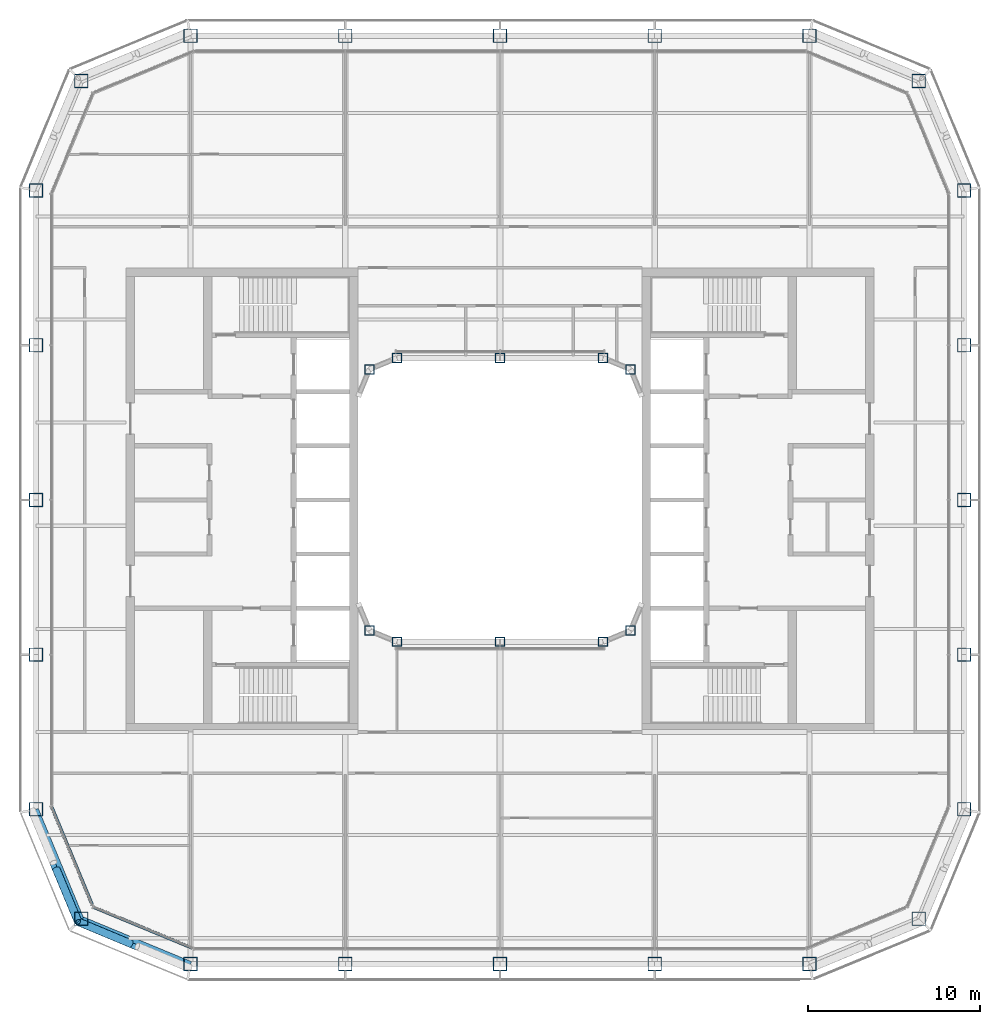
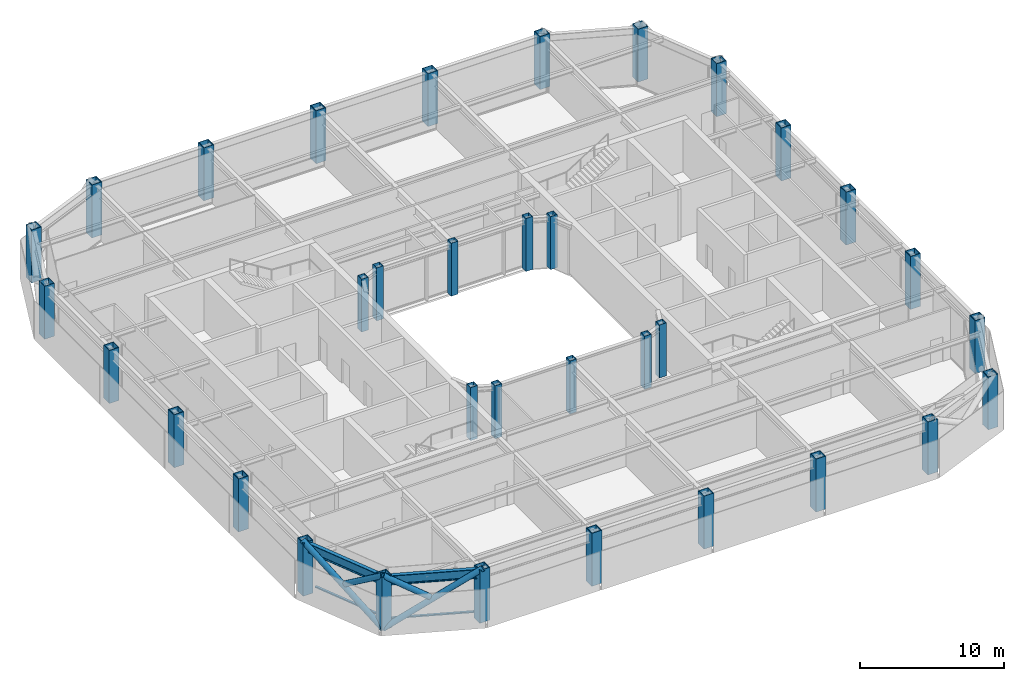
# One storey, part 1 of 19: 34 columns, 6 members, 2 beams, 2 elements without a shape of their own.
"""IFC4 building model written with IfcOpenShell, lengths in metres."""

from ifc_helpers import new_model, si_unit, direction, frame, origin, origin_2d, place, context, subcontext, project, spatial, rectangle, hollow_rectangle, hollow_circle, i_section, extrude, material, layer, layer_set, material_profile, profile_set, type_object, element, aggregate, save


model = new_model("IFC4")

# Units and contexts
model_context = context("Model", 3, precision=1e-05, world=origin(), true_north=direction((0.0, 1.0)))
body_context = subcontext(model_context, "Body", "Model", "MODEL_VIEW")
ifc_project = project(units=[si_unit("LENGTHUNIT", "METRE"), si_unit("AREAUNIT", "SQUARE_METRE"), si_unit("VOLUMEUNIT", "CUBIC_METRE"), si_unit("PLANEANGLEUNIT", "RADIAN"), si_unit("MASSUNIT", "GRAM", prefix="KILO")], contexts=[model_context])

# Site, building, storey
site_placement = place(None, origin())
site = spatial("IfcSite", under=ifc_project, at=site_placement, CompositionType="ELEMENT")
building_placement = place(site_placement, origin())
building = spatial("IfcBuilding", under=site, at=building_placement, Name="Siwar Civic Tower", CompositionType="ELEMENT")
storey_placement = place(building_placement, frame((0.0, 0.0, 246.699951171875)))
storey = spatial("IfcBuildingStorey", under=building, at=storey_placement, Name="L53", CompositionType="ELEMENT", Elevation=246.699951171875)

# Columns
ifc_material_1 = material(Name="Steel S355", Category="steel")
ifc_material_profile_1 = material_profile(ifc_material_1, hollow_rectangle(XDim=0.800048828125, YDim=0.800048828125, WallThickness=0.044921875, at=origin_2d()), Name="BOX800x800x45")
ifc_profile_set_1 = profile_set([ifc_material_profile_1], Name="Steel S355")
column_type_1 = type_object("IfcColumnType", Name="STR-COL-BOX800x800x45", PredefinedType="COLUMN", material=ifc_profile_set_1)
for number, where, z_axis, x_axis, name in (
    (1, (-18.0, -27.0, 0.0), (0.0, 0.0, 1.0), (1.0, 0.0, 0.0), "L53/col/S-0"),
    (2, (-9.0, -27.0, 0.0), (0.0, 0.0, 1.0), (1.0, 0.0, 0.0), "L53/col/S-1"),
    (3, (0.0, -27.0, 0.0), (0.0, 0.0, 1.0), (1.0, 0.0, 0.0), "L53/col/S-2"),
    (4, (9.0, -27.0, 0.0), (0.0, 0.0, 1.0), (1.0, 0.0, 0.0), "L53/col/S-3"),
    (5, (18.0, -27.0, 0.0), (0.0, 0.0, 1.0), (1.0, 0.0, 0.0), "L53/col/SE1-0"),
    (6, (24.364013671875, -24.364013671875, 0.0), (0.0, 0.0, 1.0), (1.0, 0.0, 0.0), "L53/col/SE2-0"),
    (7, (27.0, -18.0, 0.0), (0.0, 0.0, 1.0), (1.0, 0.0, 0.0), "L53/col/E-0"),
    (8, (27.0, -9.0, 0.0), (0.0, 0.0, 1.0), (1.0, 0.0, 0.0), "L53/col/E-1"),
    (9, (27.0, 0.0, 0.0), (0.0, 0.0, 1.0), (1.0, 0.0, 0.0), "L53/col/E-2"),
    (10, (27.0, 9.0, 0.0), (0.0, 0.0, 1.0), (1.0, 0.0, 0.0), "L53/col/E-3"),
    (11, (27.0, 18.0, 0.0), (0.0, 0.0, 1.0), (1.0, 0.0, 0.0), "L53/col/NE1-0"),
    (12, (24.364013671875, 24.364013671875, 0.0), (0.0, 0.0, 1.0), (1.0, 0.0, 0.0), "L53/col/NE2-0"),
    (13, (18.0, 27.0, 0.0), (0.0, 0.0, 1.0), (1.0, 0.0, 0.0), "L53/col/N-0"),
    (14, (9.0, 27.0, 0.0), (0.0, 0.0, 1.0), (1.0, 0.0, 0.0), "L53/col/N-1"),
    (15, (0.0, 27.0, 0.0), (0.0, 0.0, 1.0), (1.0, 0.0, 0.0), "L53/col/N-2"),
    (16, (-9.0, 27.0, 0.0), (0.0, 0.0, 1.0), (1.0, 0.0, 0.0), "L53/col/N-3"),
    (17, (-18.0, 27.0, 0.0), (0.0, 0.0, 1.0), (1.0, 0.0, 0.0), "L53/col/NW1-0"),
    (18, (-24.364013671875, 24.364013671875, 0.0), (0.0, 0.0, 1.0), (1.0, 0.0, 0.0), "L53/col/NW2-0"),
    (19, (-27.0, 18.0, 0.0), (0.0, 0.0, 1.0), (1.0, 0.0, 0.0), "L53/col/W-0"),
    (20, (-27.0, 9.0, 0.0), (0.0, 0.0, 1.0), (1.0, 0.0, 0.0), "L53/col/W-1"),
    (21, (-27.0, 0.0, 0.0), (0.0, 0.0, 1.0), (1.0, 0.0, 0.0), "L53/col/W-2"),
    (22, (-27.0, -9.0, 0.0), (0.0, 0.0, 1.0), (1.0, 0.0, 0.0), "L53/col/W-3"),
    (23, (-27.0, -18.0, 0.0), (0.0, 0.0, 1.0), (1.0, 0.0, 0.0), "L53/col/SW1-0"),
    (24, (-24.364013671875, -24.364013671875, 0.0), (0.0, 0.0, 1.0), (1.0, 0.0, 0.0), "L53/col/SW2-0"),
):
    element("IfcColumn", number, at=place(storey_placement, frame(where, z_axis=z_axis, x_axis=x_axis)), inside=storey, type_object=column_type_1, Name=name, PredefinedType="COLUMN", context=body_context, shape_type="SweptSolid", body=[
        extrude(hollow_rectangle(XDim=0.800048828125, YDim=0.800048828125, WallThickness=0.044921875, at=origin_2d()), origin(), (0.0, 0.0, 1.0), 4.5),
    ])
ifc_material_2 = material(Name="Steel S355", Category="steel")
ifc_material_profile_2 = material_profile(ifc_material_2, hollow_rectangle(XDim=0.550048828125, YDim=0.550048828125, WallThickness=0.028076171875, at=origin_2d()), Name="BOX550x550x28")
ifc_profile_set_2 = profile_set([ifc_material_profile_2], Name="Steel S355")
column_type_2 = type_object("IfcColumnType", Name="STR-ICOL-BOX550x550x28", PredefinedType="COLUMN", material=ifc_profile_set_2)
for number, where, z_axis, x_axis, name in (
    (25, (-7.591064453125, -7.591064453125, 0.0), (0.0, 0.0, 1.0), (1.0, 0.0, 0.0), "L53/col/IS-0"),
    (26, (-6.0, -8.25, 0.0), (0.0, 0.0, 1.0), (1.0, 0.0, 0.0), "L53/col/IS-1"),
    (27, (0.0, -8.25, 0.0), (0.0, 0.0, 1.0), (1.0, 0.0, 0.0), "L53/col/IS-2"),
    (28, (6.0, -8.25, 0.0), (0.0, 0.0, 1.0), (1.0, 0.0, 0.0), "L53/col/IS-3"),
    (29, (7.591064453125, -7.591064453125, 0.0), (0.0, 0.0, 1.0), (1.0, 0.0, 0.0), "L53/col/IS-4"),
    (30, (-7.591064453125, 7.591064453125, 0.0), (0.0, 0.0, 1.0), (1.0, 0.0, 0.0), "L53/col/IN-0"),
    (31, (-6.0, 8.25, 0.0), (0.0, 0.0, 1.0), (1.0, 0.0, 0.0), "L53/col/IN-1"),
    (32, (0.0, 8.25, 0.0), (0.0, 0.0, 1.0), (1.0, 0.0, 0.0), "L53/col/IN-2"),
    (33, (6.0, 8.25, 0.0), (0.0, 0.0, 1.0), (1.0, 0.0, 0.0), "L53/col/IN-3"),
    (34, (7.591064453125, 7.591064453125, 0.0), (0.0, 0.0, 1.0), (1.0, 0.0, 0.0), "L53/col/IN-4"),
):
    element("IfcColumn", number, at=place(storey_placement, frame(where, z_axis=z_axis, x_axis=x_axis)), inside=storey, type_object=column_type_2, Name=name, PredefinedType="COLUMN", context=body_context, shape_type="SweptSolid", body=[
        extrude(hollow_rectangle(XDim=0.550048828125, YDim=0.550048828125, WallThickness=0.028076171875, at=origin_2d()), origin(), (0.0, 0.0, 1.0), 4.5),
    ])

# Curtain wall, member
ifc_material_3 = material(Name="Aluminium clad insulated panel", Category="aluminium")
ifc_layer = layer(ifc_material_3, 0.179931640625)
ifc_layer_set = layer_set([ifc_layer], Name="Aluminium clad insulated panel")
curtain_wall_type = type_object("IfcCurtainWallType", Name="ENV-CW-CX", PredefinedType="NOTDEFINED", material=ifc_layer_set)
curtain_wall_1_placement = place(storey_placement, origin())
curtain_wall_1 = element("IfcCurtainWall", 35, at=curtain_wall_1_placement, inside=storey, type_object=curtain_wall_type, Name="Curtain wall C SW1", PredefinedType="NOTDEFINED")
ifc_material_4 = material(Name="Aluminium 6063-T6", Category="aluminium")
ifc_material_profile_3 = material_profile(ifc_material_4, rectangle(XDim=0.179931640625, YDim=0.10009765625, at=origin_2d()), Name="AL 180x100")
ifc_profile_set_3 = profile_set([ifc_material_profile_3], Name="Aluminium 6063-T6")
member_type_1 = type_object("IfcMemberType", Name="ENV-TRANSOM-C", PredefinedType="USERDEFINED", material=ifc_profile_set_3)
member_1_placement = place(storey_placement, frame((-26.088623046875, -17.8486328125, 0.050048828125), z_axis=(0.38267744817, -0.923882011223, 0.0), x_axis=(0.923882011223, 0.38267744817, 0.0)))
member_1 = element("IfcMember", 36, at=member_1_placement, type_object=member_type_1, Name="Transom C SW1 1", ObjectType="TRANSOM", PredefinedType="USERDEFINED", context=body_context, shape_type="SweptSolid", body=[
    extrude(rectangle(XDim=0.179931640625, YDim=0.10009765625, at=origin_2d()), origin(), (0.0, 0.0, 1.0), 6.201904296875),
])
aggregate(curtain_wall_1, [member_1])

curtain_wall_2_placement = place(storey_placement, origin())
curtain_wall_2 = element("IfcCurtainWall", 37, at=curtain_wall_2_placement, inside=storey, type_object=curtain_wall_type, Name="Curtain wall C SW2", PredefinedType="NOTDEFINED")
member_2_placement = place(storey_placement, frame((-23.6474609375, -23.6865234375, 0.050048828125), z_axis=(0.923876246063, -0.382691366456, 0.0), x_axis=(0.382691366456, 0.923876246063, 0.0)))
member_2 = element("IfcMember", 38, at=member_2_placement, type_object=member_type_1, Name="Transom C SW2 1", ObjectType="TRANSOM", PredefinedType="USERDEFINED", context=body_context, shape_type="SweptSolid", body=[
    extrude(rectangle(XDim=0.179931640625, YDim=0.10009765625, at=origin_2d()), origin(), (0.0, 0.0, 1.0), 6.20166015625),
])
aggregate(curtain_wall_2, [member_2])

# Members
ifc_material_5 = material(Name="Steel S355", Category="steel")
ifc_material_profile_4 = material_profile(ifc_material_5, hollow_circle(Radius=0.228515625, WallThickness=0.02001953125, at=origin_2d()), Name="CHS457x20")
ifc_profile_set_4 = profile_set([ifc_material_profile_4], Name="Steel S355")
member_type_2 = type_object("IfcMemberType", Name="STR-BR-CHS457x20", PredefinedType="BRACE", material=ifc_profile_set_4)
member_3_placement = place(storey_placement, frame((-24.540771484375, -24.540771484375, 0.0), z_axis=(0.777554562952, -0.323905527954, 0.538975055633), x_axis=(0.384538969033, 0.923108759191, 0.0)))
element("IfcMember", 39, at=member_3_placement, inside=storey, type_object=member_type_2, Name="L53/brc/CSW1-13-0-1", PredefinedType="BRACE", context=body_context, shape_type="SweptSolid", body=[
    extrude(hollow_circle(Radius=0.228515625, WallThickness=0.02001953125, at=origin_2d()), origin(), (0.0, 0.0, 1.0), 8.34912109375),
])
member_4_placement = place(storey_placement, frame((-21.486572265625, -25.81298828125, 2.383056640625), z_axis=(-0.777572496853, 0.323895306243, 0.538955325357), x_axis=(-0.38452107079, -0.92311621485, 0.0)))
element("IfcMember", 40, at=member_4_placement, inside=storey, type_object=member_type_2, Name="L53/brc/CSW1-13-0-3", PredefinedType="BRACE", context=body_context, shape_type="SweptSolid", body=[
    extrude(hollow_circle(Radius=0.228515625, WallThickness=0.02001953125, at=origin_2d()), origin(), (0.0, 0.0, 1.0), 3.927978515625),
])
member_5_placement = place(storey_placement, frame((-24.540771484375, -24.540771484375, 0.0), z_axis=(-0.323905527954, 0.777554562952, 0.538975055633), x_axis=(-0.923108759191, -0.384538969033, 0.0)))
element("IfcMember", 41, at=member_5_placement, inside=storey, type_object=member_type_2, Name="L53/brc/CSW1-13-0-0", PredefinedType="BRACE", context=body_context, shape_type="SweptSolid", body=[
    extrude(hollow_circle(Radius=0.228515625, WallThickness=0.02001953125, at=origin_2d()), origin(), (0.0, 0.0, 1.0), 8.34912109375),
])
member_6_placement = place(storey_placement, frame((-25.81298828125, -21.486572265625, 2.383056640625), z_axis=(0.323895306243, -0.777572496853, 0.538955325357), x_axis=(0.92311621485, 0.38452107079, 0.0)))
element("IfcMember", 42, at=member_6_placement, inside=storey, type_object=member_type_2, Name="L53/brc/CSW1-13-0-5", PredefinedType="BRACE", context=body_context, shape_type="SweptSolid", body=[
    extrude(hollow_circle(Radius=0.228515625, WallThickness=0.02001953125, at=origin_2d()), origin(), (0.0, 0.0, 1.0), 3.927978515625),
])

# Beams
ifc_material_6 = material(Name="Steel S355", Category="steel")
ifc_material_profile_5 = material_profile(ifc_material_6, i_section(OverallWidth=0.300048828125, OverallDepth=0.800048828125, WebThickness=0.017578125, FlangeThickness=0.032958984375, FilletRadius=0.030029296875, at=origin_2d()), Name="HEB800")
ifc_profile_set_5 = profile_set([ifc_material_profile_5], Name="Steel S355")
beam_type = type_object("IfcBeamType", Name="STR-SB-HEB800", PredefinedType="BEAM", material=ifc_profile_set_5)
for number, where, z_axis, x_axis, name in (
    (43, (-27.0, -18.0, 3.949951171875), (0.382674207535, -0.923883353507, 0.0), (0.923883353507, 0.382674207535, 0.0), "L53/bm/SSW1-0"),
    (44, (-24.364013671875, -24.364013671875, 3.949951171875), (0.923883353507, -0.382674207535, 0.0), (0.382674207535, 0.923883353507, 0.0), "L53/bm/SSW2-0"),
):
    element("IfcBeam", number, at=place(storey_placement, frame(where, z_axis=z_axis, x_axis=x_axis)), inside=storey, type_object=beam_type, Name=name, PredefinedType="BEAM", context=body_context, shape_type="SweptSolid", body=[
        extrude(i_section(OverallWidth=0.300048828125, OverallDepth=0.800048828125, WebThickness=0.017578125, FlangeThickness=0.032958984375, FilletRadius=0.030029296875, at=origin_2d()), origin(), (0.0, 0.0, 1.0), 6.888427734375),
    ])

save(model, "model.ifc")
